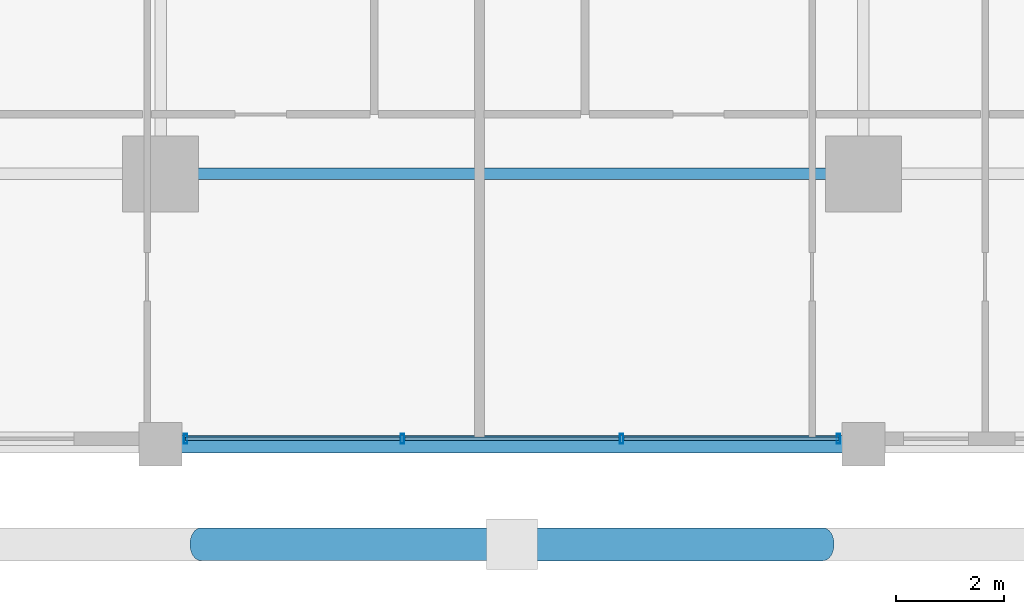
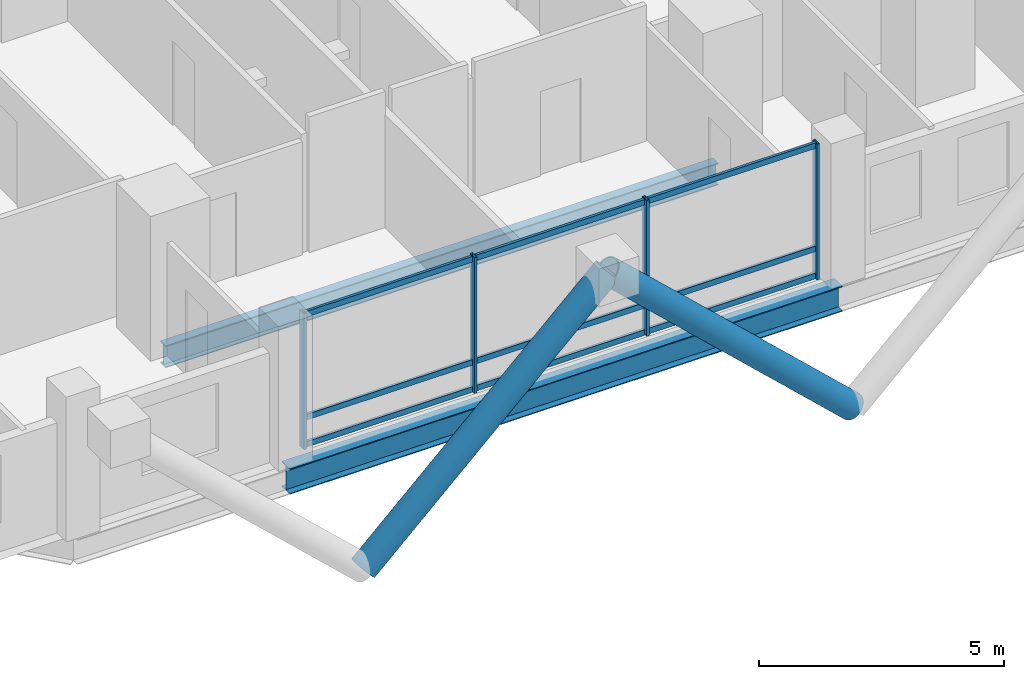
# One storey, part 2 of 23: 15 members, 2 beams, 1 element without a shape of its own.
"""IFC4 building model written with IfcOpenShell, lengths in metres."""

from ifc_helpers import new_model, si_unit, direction, frame, origin, origin_2d, place, context, subcontext, project, spatial, hollow_rectangle, hollow_circle, i_section, extrude, material, layer, layer_set, material_profile, profile_set, type_object, element, aggregate, save


model = new_model("IFC4")

# Units and contexts
model_context = context("Model", 3, precision=1e-05, world=origin(), true_north=direction((0.0, 1.0)))
body_context = subcontext(model_context, "Body", "Model", "MODEL_VIEW")
ifc_project = project(units=[si_unit("LENGTHUNIT", "METRE"), si_unit("AREAUNIT", "SQUARE_METRE"), si_unit("VOLUMEUNIT", "CUBIC_METRE"), si_unit("PLANEANGLEUNIT", "RADIAN"), si_unit("MASSUNIT", "GRAM", prefix="KILO")], contexts=[model_context])

# Site, building, storey
site_placement = place(None, origin())
site = spatial("IfcSite", under=ifc_project, at=site_placement, CompositionType="ELEMENT")
building_placement = place(site_placement, origin())
building = spatial("IfcBuilding", under=site, at=building_placement, Name="Barlavira Tower and Art Museum", CompositionType="ELEMENT")
storey_placement = place(building_placement, frame((0.0, 0.0, 68.39990234375)))
storey = spatial("IfcBuildingStorey", under=building, at=storey_placement, Name="L16", CompositionType="ELEMENT", Elevation=68.39990234375)

# Curtain wall, members
ifc_material_1 = material(Name="Low-iron coastal laminated glass", Category="glass")
ifc_layer = layer(ifc_material_1, 0.179931640625, Name="Low-iron coastal laminated glass")
ifc_layer_set = layer_set([ifc_layer], Name="Low-iron coastal laminated glass")
curtain_wall_type = type_object("IfcCurtainWallType", Name="Pale-Metal Unitised Curtain Wall Zone 1", PredefinedType="NOTDEFINED", material=ifc_layer_set)
curtain_wall_placement = place(storey_placement, origin())
curtain_wall = element("IfcCurtainWall", 1, at=curtain_wall_placement, inside=storey, type_object=curtain_wall_type, Name="L16 Curtain Wall CW1-L16-S-B3", PredefinedType="NOTDEFINED")
ifc_material_2 = material(Name="Pale anodised aluminium", Category="aluminium")
ifc_material_profile_1 = material_profile(ifc_material_2, hollow_rectangle(XDim=0.06494140625, YDim=0.179931640625, WallThickness=0.00390625, at=origin_2d()), Name="ALU-MULL 65x180x4")
ifc_profile_set_1 = profile_set([ifc_material_profile_1], Name="Pale anodised aluminium")
member_type_1 = type_object("IfcMemberType", Name="Curtain Wall Pale-Metal Mullion 65x180", PredefinedType="MULLION", material=ifc_profile_set_1)
member_1_placement = place(storey_placement, frame((-6.034912109375, -24.89990234375, 0.0), z_axis=(0.0, 0.0, 1.0), x_axis=(1.0, 0.0, 0.0)))
member_1 = element("IfcMember", 2, at=member_1_placement, type_object=member_type_1, Name="CW1-L16-S-B3 Mullion 0", PredefinedType="MULLION", context=body_context, shape_type="SweptSolid", body=[
    extrude(hollow_rectangle(XDim=0.06494140625, YDim=0.179931640625, WallThickness=0.00390625, at=origin_2d()), origin(), (0.0, 0.0, 1.0), 3.380126953125),
])
member_2_placement = place(storey_placement, frame((-2.026611328125, -24.89990234375, 0.0), z_axis=(0.0, 0.0, 1.0), x_axis=(1.0, 0.0, 0.0)))
member_2 = element("IfcMember", 3, at=member_2_placement, type_object=member_type_1, Name="CW1-L16-S-B3 Mullion 1", PredefinedType="MULLION", context=body_context, shape_type="SweptSolid", body=[
    extrude(hollow_rectangle(XDim=0.06494140625, YDim=0.179931640625, WallThickness=0.00390625, at=origin_2d()), origin(), (0.0, 0.0, 1.0), 3.380126953125),
])
member_3_placement = place(storey_placement, frame((2.026611328125, -24.89990234375, 0.0), z_axis=(0.0, 0.0, 1.0), x_axis=(1.0, 0.0, 0.0)))
member_3 = element("IfcMember", 4, at=member_3_placement, type_object=member_type_1, Name="CW1-L16-S-B3 Mullion 2", PredefinedType="MULLION", context=body_context, shape_type="SweptSolid", body=[
    extrude(hollow_rectangle(XDim=0.06494140625, YDim=0.179931640625, WallThickness=0.00390625, at=origin_2d()), origin(), (0.0, 0.0, 1.0), 3.380126953125),
])
member_4_placement = place(storey_placement, frame((6.034912109375, -24.89990234375, 0.0), z_axis=(0.0, 0.0, 1.0), x_axis=(1.0, 0.0, 0.0)))
member_4 = element("IfcMember", 5, at=member_4_placement, type_object=member_type_1, Name="CW1-L16-S-B3 Mullion 3", PredefinedType="MULLION", context=body_context, shape_type="SweptSolid", body=[
    extrude(hollow_rectangle(XDim=0.06494140625, YDim=0.179931640625, WallThickness=0.00390625, at=origin_2d()), origin(), (0.0, 0.0, 1.0), 3.380126953125),
])
ifc_material_profile_2 = material_profile(ifc_material_2, hollow_rectangle(XDim=0.06494140625, YDim=0.139892578125, WallThickness=0.00390625, at=origin_2d()), Name="ALU-TRAN 65x140x4")
ifc_profile_set_2 = profile_set([ifc_material_profile_2], Name="Pale anodised aluminium")
member_type_2 = type_object("IfcMemberType", Name="Curtain Wall Pale-Metal Transom 65x140", PredefinedType="USERDEFINED", material=ifc_profile_set_2)
member_5_placement = place(storey_placement, frame((-6.034912109375, -24.89990234375, 0.070068359375), z_axis=(1.0, 0.0, 0.0), x_axis=(0.0, 1.0, 0.0)))
member_5 = element("IfcMember", 6, at=member_5_placement, type_object=member_type_2, Name="CW1-L16-S-B3 Transom 0.1", ObjectType="TRANSOM", PredefinedType="USERDEFINED", context=body_context, shape_type="SweptSolid", body=[
    extrude(hollow_rectangle(XDim=0.06494140625, YDim=0.139892578125, WallThickness=0.00390625, at=origin_2d()), origin(), (0.0, 0.0, 1.0), 3.963134765625),
])
member_6_placement = place(storey_placement, frame((-6.034912109375, -24.89990234375, 0.744140625), z_axis=(1.0, 0.0, 0.0), x_axis=(0.0, 1.0, 0.0)))
member_6 = element("IfcMember", 7, at=member_6_placement, type_object=member_type_2, Name="CW1-L16-S-B3 Transom 0.2", ObjectType="TRANSOM", PredefinedType="USERDEFINED", context=body_context, shape_type="SweptSolid", body=[
    extrude(hollow_rectangle(XDim=0.06494140625, YDim=0.139892578125, WallThickness=0.00390625, at=origin_2d()), origin(), (0.0, 0.0, 1.0), 3.963134765625),
])
member_7_placement = place(storey_placement, frame((-6.034912109375, -24.89990234375, 3.31005859375), z_axis=(1.0, 0.0, 0.0), x_axis=(0.0, 1.0, 0.0)))
member_7 = element("IfcMember", 8, at=member_7_placement, type_object=member_type_2, Name="CW1-L16-S-B3 Transom 0.3", ObjectType="TRANSOM", PredefinedType="USERDEFINED", context=body_context, shape_type="SweptSolid", body=[
    extrude(hollow_rectangle(XDim=0.06494140625, YDim=0.139892578125, WallThickness=0.00390625, at=origin_2d()), origin(), (0.0, 0.0, 1.0), 3.963134765625),
])
member_8_placement = place(storey_placement, frame((-1.981689453125, -24.89990234375, 0.070068359375), z_axis=(1.0, 0.0, 0.0), x_axis=(0.0, 1.0, 0.0)))
member_8 = element("IfcMember", 9, at=member_8_placement, type_object=member_type_2, Name="CW1-L16-S-B3 Transom 1.1", ObjectType="TRANSOM", PredefinedType="USERDEFINED", context=body_context, shape_type="SweptSolid", body=[
    extrude(hollow_rectangle(XDim=0.06494140625, YDim=0.139892578125, WallThickness=0.00390625, at=origin_2d()), origin(), (0.0, 0.0, 1.0), 3.96337890625),
])
member_9_placement = place(storey_placement, frame((-1.981689453125, -24.89990234375, 0.744140625), z_axis=(1.0, 0.0, 0.0), x_axis=(0.0, 1.0, 0.0)))
member_9 = element("IfcMember", 10, at=member_9_placement, type_object=member_type_2, Name="CW1-L16-S-B3 Transom 1.2", ObjectType="TRANSOM", PredefinedType="USERDEFINED", context=body_context, shape_type="SweptSolid", body=[
    extrude(hollow_rectangle(XDim=0.06494140625, YDim=0.139892578125, WallThickness=0.00390625, at=origin_2d()), origin(), (0.0, 0.0, 1.0), 3.96337890625),
])
member_10_placement = place(storey_placement, frame((-1.981689453125, -24.89990234375, 3.31005859375), z_axis=(1.0, 0.0, 0.0), x_axis=(0.0, 1.0, 0.0)))
member_10 = element("IfcMember", 11, at=member_10_placement, type_object=member_type_2, Name="CW1-L16-S-B3 Transom 1.3", ObjectType="TRANSOM", PredefinedType="USERDEFINED", context=body_context, shape_type="SweptSolid", body=[
    extrude(hollow_rectangle(XDim=0.06494140625, YDim=0.139892578125, WallThickness=0.00390625, at=origin_2d()), origin(), (0.0, 0.0, 1.0), 3.96337890625),
])
member_11_placement = place(storey_placement, frame((2.07177734375, -24.89990234375, 0.070068359375), z_axis=(1.0, 0.0, 0.0), x_axis=(0.0, 1.0, 0.0)))
member_11 = element("IfcMember", 12, at=member_11_placement, type_object=member_type_2, Name="CW1-L16-S-B3 Transom 2.1", ObjectType="TRANSOM", PredefinedType="USERDEFINED", context=body_context, shape_type="SweptSolid", body=[
    extrude(hollow_rectangle(XDim=0.06494140625, YDim=0.139892578125, WallThickness=0.00390625, at=origin_2d()), origin(), (0.0, 0.0, 1.0), 3.963134765625),
])
member_12_placement = place(storey_placement, frame((2.07177734375, -24.89990234375, 0.744140625), z_axis=(1.0, 0.0, 0.0), x_axis=(0.0, 1.0, 0.0)))
member_12 = element("IfcMember", 13, at=member_12_placement, type_object=member_type_2, Name="CW1-L16-S-B3 Transom 2.2", ObjectType="TRANSOM", PredefinedType="USERDEFINED", context=body_context, shape_type="SweptSolid", body=[
    extrude(hollow_rectangle(XDim=0.06494140625, YDim=0.139892578125, WallThickness=0.00390625, at=origin_2d()), origin(), (0.0, 0.0, 1.0), 3.963134765625),
])
member_13_placement = place(storey_placement, frame((2.07177734375, -24.89990234375, 3.31005859375), z_axis=(1.0, 0.0, 0.0), x_axis=(0.0, 1.0, 0.0)))
member_13 = element("IfcMember", 14, at=member_13_placement, type_object=member_type_2, Name="CW1-L16-S-B3 Transom 2.3", ObjectType="TRANSOM", PredefinedType="USERDEFINED", context=body_context, shape_type="SweptSolid", body=[
    extrude(hollow_rectangle(XDim=0.06494140625, YDim=0.139892578125, WallThickness=0.00390625, at=origin_2d()), origin(), (0.0, 0.0, 1.0), 3.963134765625),
])
aggregate(curtain_wall, [member_1, member_2, member_3, member_4, member_5, member_6, member_7, member_8, member_9, member_10, member_11, member_12, member_13])

# Members
ifc_material_3 = material(Name="Steel S355", Category="steel")
ifc_material_profile_3 = material_profile(ifc_material_3, hollow_circle(Radius=0.304931640625, WallThickness=0.028076171875, at=origin_2d()), Name="CHS 610.0x28.0")
ifc_profile_set_3 = profile_set([ifc_material_profile_3], Name="Steel S355")
member_type_3 = type_object("IfcMemberType", Name="Pale-Metal Exoskeleton Diagrid Tube CHS 610x28 Steel S355", PredefinedType="BRACE", material=ifc_profile_set_3)
for number, where, z_axis, x_axis, name in (
    (15, (-5.75, -26.85009765625, -1.919921875), (0.728950095515, 0.0, 0.684566839869), (0.0, 1.0, 0.0), "L16 Exoskeleton Diagrid Tube S"),
    (16, (5.75, -26.85009765625, -1.919921875), (-0.728950095515, 0.0, 0.684566839869), (0.0, -1.0, 0.0), "L16 Exoskeleton Diagrid Tube S"),
):
    element("IfcMember", number, at=place(storey_placement, frame(where, z_axis=z_axis, x_axis=x_axis)), inside=storey, type_object=member_type_3, Name=name, PredefinedType="BRACE", context=body_context, shape_type="SweptSolid", body=[
        extrude(hollow_circle(Radius=0.304931640625, WallThickness=0.028076171875, at=origin_2d()), origin(), (0.0, 0.0, 1.0), 7.887939453125),
    ])

# Beams
ifc_material_profile_4 = material_profile(ifc_material_3, i_section(OverallWidth=0.327880859375, OverallDepth=0.62890625, WebThickness=0.013916015625, FlangeThickness=0.021484375, at=origin_2d()), Name="W610x174.0")
ifc_profile_set_4 = profile_set([ifc_material_profile_4], Name="Steel S355")
beam_type_1 = type_object("IfcBeamType", Name="Perimeter Spandrel Edge Beam W610x174 Steel S355", PredefinedType="SPANDREL", material=ifc_profile_set_4)
beam_1_placement = place(storey_placement, frame((-6.5, -25.0, -0.534423828125), z_axis=(1.0, 0.0, 0.0), x_axis=(0.0, 1.0, 0.0)))
element("IfcBeam", 17, at=beam_1_placement, inside=storey, type_object=beam_type_1, Name="L16 Spandrel 2", PredefinedType="SPANDREL", context=body_context, shape_type="SweptSolid", body=[
    extrude(i_section(OverallWidth=0.327880859375, OverallDepth=0.62890625, WebThickness=0.013916015625, FlangeThickness=0.021484375, at=origin_2d()), origin(), (0.0, 0.0, 1.0), 13.0),
])
ifc_material_profile_5 = material_profile(ifc_material_3, i_section(OverallWidth=0.214111328125, OverallDepth=0.549072265625, WebThickness=0.0146484375, FlangeThickness=0.023681640625, at=origin_2d()), Name="W530x138.0")
ifc_profile_set_5 = profile_set([ifc_material_profile_5], Name="Steel S355")
beam_type_2 = type_object("IfcBeamType", Name="Zone 1 Primary Floor Girder W530x138 Steel S355", PredefinedType="BEAM", material=ifc_profile_set_5)
beam_2_placement = place(storey_placement, frame((-6.5, -20.0, -0.494384765625), z_axis=(1.0, 0.0, 0.0), x_axis=(0.0, 1.0, 0.0)))
element("IfcBeam", 18, at=beam_2_placement, inside=storey, type_object=beam_type_2, Name="L16 Girder M-S2", PredefinedType="BEAM", context=body_context, shape_type="SweptSolid", body=[
    extrude(i_section(OverallWidth=0.214111328125, OverallDepth=0.549072265625, WebThickness=0.0146484375, FlangeThickness=0.023681640625, at=origin_2d()), origin(), (0.0, 0.0, 1.0), 13.0),
])

save(model, "model.ifc")
